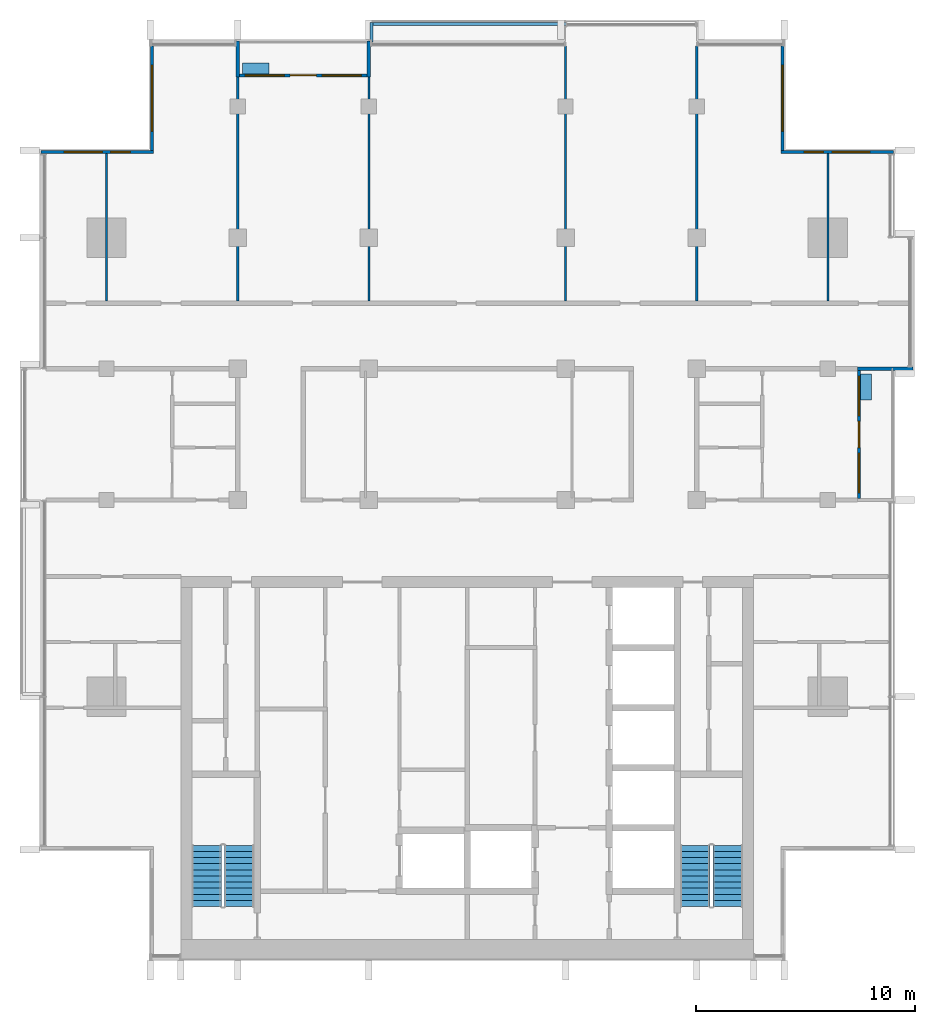
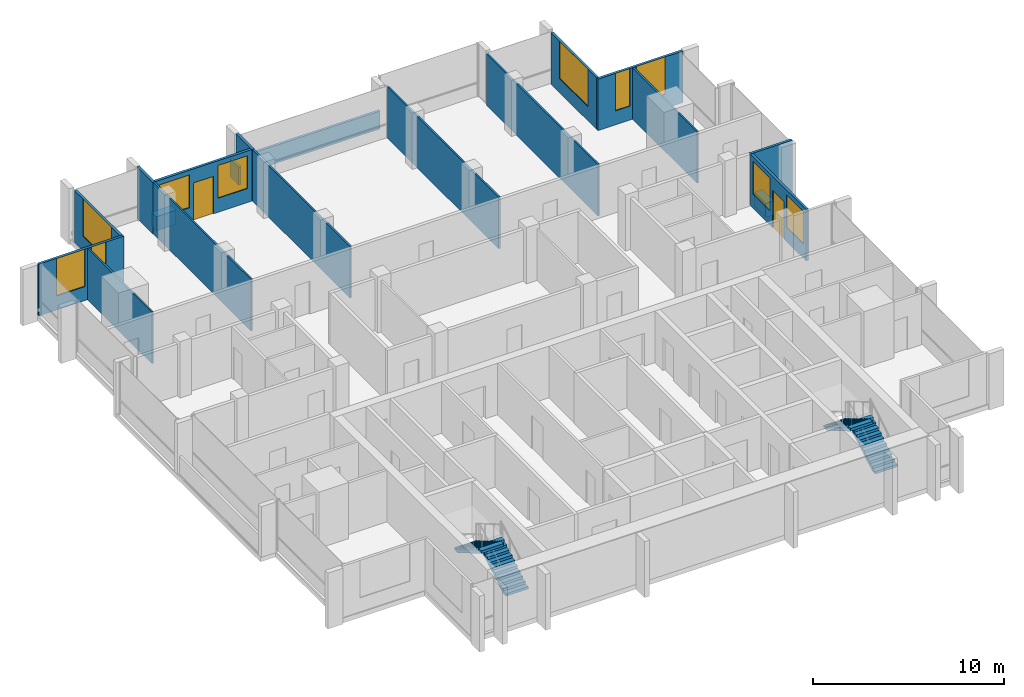
# One storey, part 10 of 15: 19 walls, 10 windows, 4 stair flights, 2 doors, 12 openings, 2 elements without a shape of their own.
"""IFC4 building model written with IfcOpenShell, lengths in metres."""

from ifc_helpers import new_model, si_unit, direction, frame, frame_2d, origin, place, context, subcontext, project, spatial, polyline, rectangle, outline, extrude, material, layer, layer_set, type_object, element, fill, aggregate, save


model = new_model("IFC4")

# Units and contexts
model_context = context("Model", 3, precision=1e-05, world=origin(), true_north=direction((0.0, 1.0)))
body_context = subcontext(model_context, "Body", "Model", "MODEL_VIEW")
ifc_project = project(units=[si_unit("LENGTHUNIT", "METRE"), si_unit("AREAUNIT", "SQUARE_METRE"), si_unit("VOLUMEUNIT", "CUBIC_METRE"), si_unit("PLANEANGLEUNIT", "RADIAN"), si_unit("MASSUNIT", "GRAM", prefix="KILO")], contexts=[model_context])

# Site, building, storey
site_placement = place(None, origin())
site = spatial("IfcSite", under=ifc_project, at=site_placement, CompositionType="ELEMENT")
building_placement = place(site_placement, origin())
building = spatial("IfcBuilding", under=site, at=building_placement, Name="Finial Court Residences", CompositionType="ELEMENT")
storey_placement = place(building_placement, frame((0.0, 0.0, 269.89990234375)))
storey = spatial("IfcBuildingStorey", under=building, at=storey_placement, Name="L68", CompositionType="ELEMENT", Elevation=269.89990234375)

# Walls
ifc_material_1 = material(Name="Gypsum board")
ifc_layer_1 = layer(ifc_material_1, 0.012451171875)
ifc_material_2 = material(Name="Mineral wool in light-gauge frame")
ifc_layer_2 = layer(ifc_material_2, 0.074951171875)
ifc_layer_3 = layer(ifc_material_1, 0.012451171875)
ifc_layer_set_1 = layer_set([ifc_layer_1, ifc_layer_2, ifc_layer_3], Name="Gypsum board partition 100")
wall_type_1 = type_object("IfcWallType", Name="Gypsum board partition 100", PredefinedType="PARTITIONING", material=ifc_layer_set_1)
wall_1_placement = place(storey_placement, frame((-16.5, 4.60009765625, 0.0), z_axis=(0.0, 0.0, 1.0), x_axis=(0.0, 1.0, 0.0)))
element("IfcWall", 1, at=wall_1_placement, inside=storey, type_object=wall_type_1, Name="Partition L68-017", PredefinedType="PARTITIONING", context=body_context, shape_type="SweptSolid", body=[
    extrude(rectangle(XDim=6.75, YDim=0.10009765625, at=frame_2d((3.375, 0.0))), origin(), (0.0, 0.0, 1.0), 3.300048828125),
])
for number, where, z_axis, x_axis, name in (
    (2, (-10.5, 4.60009765625, 0.0), (0.0, 0.0, 1.0), (0.0, 1.0, 0.0), "Partition L68-022"),
    (3, (-4.5, 4.60009765625, 0.0), (0.0, 0.0, 1.0), (0.0, 1.0, 0.0), "Partition L68-025"),
):
    element("IfcWall", number, at=place(storey_placement, frame(where, z_axis=z_axis, x_axis=x_axis)), inside=storey, type_object=wall_type_1, Name=name, PredefinedType="PARTITIONING", context=body_context, shape_type="SweptSolid", body=[
        extrude(rectangle(XDim=10.25, YDim=0.10009765625, at=frame_2d((5.125, 0.0))), origin(), (0.0, 0.0, 1.0), 3.300048828125),
    ])
for number, where, z_axis, x_axis, name in (
    (4, (4.5, 4.60009765625, 0.0), (0.0, 0.0, 1.0), (0.0, 1.0, 0.0), "Partition L68-026"),
    (5, (10.5, 4.60009765625, 0.0), (0.0, 0.0, 1.0), (0.0, 1.0, 0.0), "Partition L68-030"),
):
    element("IfcWall", number, at=place(storey_placement, frame(where, z_axis=z_axis, x_axis=x_axis)), inside=storey, type_object=wall_type_1, Name=name, PredefinedType="PARTITIONING", context=body_context, shape_type="SweptSolid", body=[
        extrude(rectangle(XDim=11.662353515625, YDim=0.10009765625, at=frame_2d((5.8310546875, 0.0))), origin(), (0.0, 0.0, 1.0), 3.300048828125),
    ])
wall_2_placement = place(storey_placement, frame((16.5, 4.60009765625, 0.0), z_axis=(0.0, 0.0, 1.0), x_axis=(0.0, 1.0, 0.0)))
element("IfcWall", 6, at=wall_2_placement, inside=storey, type_object=wall_type_1, Name="Partition L68-034", PredefinedType="PARTITIONING", context=body_context, shape_type="SweptSolid", body=[
    extrude(rectangle(XDim=6.75, YDim=0.10009765625, at=frame_2d((3.375, 0.0))), origin(), (0.0, 0.0, 1.0), 3.300048828125),
])
ifc_material_3 = material(Name="Concrete C35/45", Category="concrete")
ifc_layer_4 = layer(ifc_material_3, 0.14990234375)
ifc_layer_set_2 = layer_set([ifc_layer_4], Name="Ledge parapet, Concrete C35/45 150")
wall_type_2 = type_object("IfcWallType", Name="Ledge parapet, Concrete C35/45 150", PredefinedType="PARAPET", material=ifc_layer_set_2)
wall_3_placement = place(storey_placement, frame((-4.375, 16.447509765625, 0.0), z_axis=(0.0, 0.0, 1.0), x_axis=(0.0, 1.0, 0.0)))
element("IfcWall", 7, at=wall_3_placement, inside=storey, type_object=wall_type_2, Name="E-L68-LED1-P1", PredefinedType="PARAPET", context=body_context, shape_type="SweptSolid", body=[
    extrude(rectangle(XDim=0.902587890625, YDim=0.14990234375, at=frame_2d((0.451171875, 0.0))), origin(), (0.0, 0.0, 1.0), 1.150146484375),
])
wall_4_placement = place(storey_placement, frame((-4.300048828125, 17.27490234375, 0.0), z_axis=(0.0, 0.0, 1.0), x_axis=(1.0, 0.0, 0.0)))
element("IfcWall", 8, at=wall_4_placement, inside=storey, type_object=wall_type_2, Name="E-L68-LED1-P2", PredefinedType="PARAPET", context=body_context, shape_type="SweptSolid", body=[
    extrude(rectangle(XDim=8.8525390625, YDim=0.14990234375, at=frame_2d((4.42626953125, 0.0))), origin(), (0.0, 0.0, 1.0), 1.150146484375),
])

# Wall, opening, window
ifc_material_4 = material(Name="Natural limestone", Category="masonry")
ifc_layer_5 = layer(ifc_material_4, 0.14990234375)
ifc_layer_set_3 = layer_set([ifc_layer_5], Name="Limestone clad wall 150")
wall_type_3 = type_object("IfcWallType", Name="Limestone clad wall 150", PredefinedType="SOLIDWALL", material=ifc_layer_set_3)
wall_5_placement = place(storey_placement, frame((-14.425048828125, 11.5, 0.0), z_axis=(0.0, 0.0, 1.0), x_axis=(0.0, 1.0, 0.0)))
wall_5 = element("IfcWall", 9, at=wall_5_placement, inside=storey, type_object=wall_type_3, Name="E-L68-NWW17", PredefinedType="SOLIDWALL", context=body_context, shape_type="SweptSolid", body=[
    extrude(rectangle(XDim=4.762451171875, YDim=0.14990234375, at=frame_2d((2.38134765625, 0.0))), origin(), (0.0, 0.0, 1.0), 3.300048828125),
])
opening_1_placement = place(wall_5_placement, frame((0.881103515625, 0.0, 0.89990234375)))
opening_1 = element("IfcOpeningElement", 10, at=opening_1_placement, cuts=wall_5, Name="Opening WE68-05", PredefinedType="OPENING", context=body_context, shape_type="SweptSolid", body=[
    extrude(rectangle(XDim=3.0, YDim=2.39990234375, at=frame_2d((1.5, 1.199951171875))), frame((0.0, 0.0849609375, 0.0), z_axis=(0.0, -1.0, 0.0), x_axis=(1.0, 0.0, 0.0)), (0.0, 0.0, 1.0), 0.169921875),
])
ifc_material_5 = material(Name="Clear low-e glass", Category="glass")
window_type_1 = type_object("IfcWindowType", Name="Corner window 3000 x 2400", PartitioningType="SINGLE_PANEL", PredefinedType="WINDOW", material=ifc_material_5)
window_1_placement = place(opening_1_placement, origin())
window_1 = element("IfcWindow", 11, at=window_1_placement, inside=storey, type_object=window_type_1, Name="E-L68-NWW17-W1", OverallHeight=2.39990234375, OverallWidth=3.0, PartitioningType="SINGLE_PANEL", PredefinedType="WINDOW", context=body_context, shape_type="SweptSolid", body=[
    extrude(rectangle(XDim=3.0, YDim=2.39990234375, at=frame_2d((1.5, 1.199951171875))), frame((0.0, 0.030029296875, 0.0), z_axis=(0.0, -1.0, 0.0), x_axis=(1.0, 0.0, 0.0)), (0.0, 0.0, 1.0), 0.06005859375),
])
fill(opening_1, window_1)

# Wall, openings, windows
wall_6_placement = place(storey_placement, frame((-19.5, 11.425048828125, 0.0), z_axis=(0.0, 0.0, 1.0), x_axis=(1.0, 0.0, 0.0)))
wall_6 = element("IfcWall", 12, at=wall_6_placement, inside=storey, type_object=wall_type_3, Name="E-L68-NWN18", PredefinedType="SOLIDWALL", context=body_context, shape_type="SweptSolid", body=[
    extrude(rectangle(XDim=5.14990234375, YDim=0.14990234375, at=frame_2d((2.574951171875, 0.0))), origin(), (0.0, 0.0, 1.0), 3.300048828125),
])
opening_2_placement = place(wall_6_placement, frame((1.074951171875, 0.0, 0.89990234375)))
opening_2 = element("IfcOpeningElement", 13, at=opening_2_placement, cuts=wall_6, Name="Opening WE68-06", PredefinedType="OPENING", context=body_context, shape_type="SweptSolid", body=[
    extrude(rectangle(XDim=1.72509765625, YDim=2.39990234375, at=frame_2d((0.862548828125, 1.199951171875))), frame((0.0, 0.0849609375, 0.0), z_axis=(0.0, -1.0, 0.0), x_axis=(1.0, 0.0, 0.0)), (0.0, 0.0, 1.0), 0.169921875),
])
opening_3_placement = place(wall_6_placement, frame((3.199951171875, 0.0, 0.89990234375)))
opening_3 = element("IfcOpeningElement", 14, at=opening_3_placement, cuts=wall_6, Name="Opening WE68-07", PredefinedType="OPENING", context=body_context, shape_type="SweptSolid", body=[
    extrude(rectangle(XDim=0.875, YDim=2.39990234375, at=frame_2d((0.4375, 1.199951171875))), frame((0.0, 0.0849609375, 0.0), z_axis=(0.0, -1.0, 0.0), x_axis=(1.0, 0.0, 0.0)), (0.0, 0.0, 1.0), 0.169921875),
])
window_type_2 = type_object("IfcWindowType", Name="Corner window 1725 x 2400", PartitioningType="SINGLE_PANEL", PredefinedType="WINDOW", material=ifc_material_5)
window_2_placement = place(opening_2_placement, origin())
window_2 = element("IfcWindow", 15, at=window_2_placement, inside=storey, type_object=window_type_2, Name="E-L68-NWN18-W1", OverallHeight=2.39990234375, OverallWidth=1.72509765625, PartitioningType="SINGLE_PANEL", PredefinedType="WINDOW", context=body_context, shape_type="SweptSolid", body=[
    extrude(rectangle(XDim=1.72509765625, YDim=2.39990234375, at=frame_2d((0.862548828125, 1.199951171875))), frame((0.0, 0.030029296875, 0.0), z_axis=(0.0, -1.0, 0.0), x_axis=(1.0, 0.0, 0.0)), (0.0, 0.0, 1.0), 0.06005859375),
])
fill(opening_2, window_2)
window_type_3 = type_object("IfcWindowType", Name="Corner window 875 x 2400", PartitioningType="SINGLE_PANEL", PredefinedType="WINDOW", material=ifc_material_5)
window_3_placement = place(opening_3_placement, origin())
window_3 = element("IfcWindow", 16, at=window_3_placement, inside=storey, type_object=window_type_3, Name="E-L68-NWN18-W2", OverallHeight=2.39990234375, OverallWidth=0.875, PartitioningType="SINGLE_PANEL", PredefinedType="WINDOW", context=body_context, shape_type="SweptSolid", body=[
    extrude(rectangle(XDim=0.875, YDim=2.39990234375, at=frame_2d((0.4375, 1.199951171875))), frame((0.0, 0.030029296875, 0.0), z_axis=(0.0, -1.0, 0.0), x_axis=(1.0, 0.0, 0.0)), (0.0, 0.0, 1.0), 0.06005859375),
])
fill(opening_3, window_3)

# Wall, opening, window
wall_7_placement = place(storey_placement, frame((14.425048828125, 16.262451171875, 0.0), z_axis=(0.0, 0.0, 1.0), x_axis=(0.0, -1.0, 0.0)))
wall_7 = element("IfcWall", 17, at=wall_7_placement, inside=storey, type_object=wall_type_3, Name="E-L68-NWE19", PredefinedType="SOLIDWALL", context=body_context, shape_type="SweptSolid", body=[
    extrude(rectangle(XDim=4.762451171875, YDim=0.14990234375, at=frame_2d((2.38134765625, 0.0))), origin(), (0.0, 0.0, 1.0), 3.300048828125),
])
opening_4_placement = place(wall_7_placement, frame((0.881103515625, 0.0, 0.89990234375)))
opening_4 = element("IfcOpeningElement", 18, at=opening_4_placement, cuts=wall_7, Name="Opening WE68-08", PredefinedType="OPENING", context=body_context, shape_type="SweptSolid", body=[
    extrude(rectangle(XDim=3.0, YDim=2.39990234375, at=frame_2d((1.5, 1.199951171875))), frame((0.0, 0.0849609375, 0.0), z_axis=(0.0, -1.0, 0.0), x_axis=(1.0, 0.0, 0.0)), (0.0, 0.0, 1.0), 0.169921875),
])
window_4_placement = place(opening_4_placement, origin())
window_4 = element("IfcWindow", 19, at=window_4_placement, inside=storey, type_object=window_type_1, Name="E-L68-NWE19-W1", OverallHeight=2.39990234375, OverallWidth=3.0, PartitioningType="SINGLE_PANEL", PredefinedType="WINDOW", context=body_context, shape_type="SweptSolid", body=[
    extrude(rectangle(XDim=3.0, YDim=2.39990234375, at=frame_2d((1.5, 1.199951171875))), frame((0.0, 0.030029296875, 0.0), z_axis=(0.0, -1.0, 0.0), x_axis=(1.0, 0.0, 0.0)), (0.0, 0.0, 1.0), 0.06005859375),
])
fill(opening_4, window_4)

# Wall, openings, windows
wall_8_placement = place(storey_placement, frame((14.35009765625, 11.425048828125, 0.0), z_axis=(0.0, 0.0, 1.0), x_axis=(1.0, 0.0, 0.0)))
wall_8 = element("IfcWall", 20, at=wall_8_placement, inside=storey, type_object=wall_type_3, Name="E-L68-NWN20", PredefinedType="SOLIDWALL", context=body_context, shape_type="SweptSolid", body=[
    extrude(rectangle(XDim=5.14990234375, YDim=0.14990234375, at=frame_2d((2.574951171875, 0.0))), origin(), (0.0, 0.0, 1.0), 3.300048828125),
])
opening_5_placement = place(wall_8_placement, frame((1.074951171875, 0.0, 0.89990234375)))
opening_5 = element("IfcOpeningElement", 21, at=opening_5_placement, cuts=wall_8, Name="Opening WE68-09", PredefinedType="OPENING", context=body_context, shape_type="SweptSolid", body=[
    extrude(rectangle(XDim=0.875, YDim=2.39990234375, at=frame_2d((0.4375, 1.199951171875))), frame((0.0, 0.0849609375, 0.0), z_axis=(0.0, -1.0, 0.0), x_axis=(1.0, 0.0, 0.0)), (0.0, 0.0, 1.0), 0.169921875),
])
opening_6_placement = place(wall_8_placement, frame((2.35009765625, 0.0, 0.89990234375)))
opening_6 = element("IfcOpeningElement", 22, at=opening_6_placement, cuts=wall_8, Name="Opening WE68-10", PredefinedType="OPENING", context=body_context, shape_type="SweptSolid", body=[
    extrude(rectangle(XDim=1.72509765625, YDim=2.39990234375, at=frame_2d((0.862548828125, 1.199951171875))), frame((0.0, 0.0849609375, 0.0), z_axis=(0.0, -1.0, 0.0), x_axis=(1.0, 0.0, 0.0)), (0.0, 0.0, 1.0), 0.169921875),
])
window_5_placement = place(opening_6_placement, origin())
window_5 = element("IfcWindow", 23, at=window_5_placement, inside=storey, type_object=window_type_2, Name="E-L68-NWN20-W2", OverallHeight=2.39990234375, OverallWidth=1.72509765625, PartitioningType="SINGLE_PANEL", PredefinedType="WINDOW", context=body_context, shape_type="SweptSolid", body=[
    extrude(rectangle(XDim=1.72509765625, YDim=2.39990234375, at=frame_2d((0.862548828125, 1.199951171875))), frame((0.0, 0.030029296875, 0.0), z_axis=(0.0, -1.0, 0.0), x_axis=(1.0, 0.0, 0.0)), (0.0, 0.0, 1.0), 0.06005859375),
])
fill(opening_6, window_5)
window_6_placement = place(opening_5_placement, origin())
window_6 = element("IfcWindow", 24, at=window_6_placement, inside=storey, type_object=window_type_3, Name="E-L68-NWN20-W1", OverallHeight=2.39990234375, OverallWidth=0.875, PartitioningType="SINGLE_PANEL", PredefinedType="WINDOW", context=body_context, shape_type="SweptSolid", body=[
    extrude(rectangle(XDim=0.875, YDim=2.39990234375, at=frame_2d((0.4375, 1.199951171875))), frame((0.0, 0.030029296875, 0.0), z_axis=(0.0, -1.0, 0.0), x_axis=(1.0, 0.0, 0.0)), (0.0, 0.0, 1.0), 0.06005859375),
])
fill(opening_5, window_6)

# Walls
for number, where, z_axis, x_axis, name in (
    (25, (-10.5, 14.85009765625, 0.0), (0.0, 0.0, 1.0), (0.0, 1.0, 0.0), "E-L68-BALN2-P1"),
    (26, (-4.5, 14.85009765625, 0.0), (0.0, 0.0, 1.0), (0.0, 1.0, 0.0), "E-L68-BALN2-P2"),
):
    element("IfcWall", number, at=place(storey_placement, frame(where, z_axis=z_axis, x_axis=x_axis)), inside=storey, type_object=wall_type_3, Name=name, PredefinedType="SOLIDWALL", context=body_context, shape_type="SweptSolid", body=[
        extrude(rectangle(XDim=1.64990234375, YDim=0.14990234375, at=frame_2d((0.824951171875, 0.0))), origin(), (0.0, 0.0, 1.0), 3.300048828125),
    ])

# Wall, openings, door, windows
wall_9_placement = place(storey_placement, frame((-10.425048828125, 14.925048828125, 0.0), z_axis=(0.0, 0.0, 1.0), x_axis=(1.0, 0.0, 0.0)))
wall_9 = element("IfcWall", 27, at=wall_9_placement, inside=storey, type_object=wall_type_3, Name="E-L68-L68-BALN2-W", PredefinedType="SOLIDWALL", context=body_context, shape_type="SweptSolid", body=[
    extrude(rectangle(XDim=5.85009765625, YDim=0.14990234375, at=frame_2d((2.925048828125, 0.0))), origin(), (0.0, 0.0, 1.0), 3.300048828125),
])
opening_7_placement = place(wall_9_placement, frame((2.324951171875, 0.0, 0.0)))
opening_7 = element("IfcOpeningElement", 28, at=opening_7_placement, cuts=wall_9, Name="Opening DE68-01", PredefinedType="OPENING", context=body_context, shape_type="SweptSolid", body=[
    extrude(rectangle(XDim=1.199951171875, YDim=2.39990234375, at=frame_2d((0.60009765625, 1.199951171875))), frame((0.0, 0.0849609375, 0.0), z_axis=(0.0, -1.0, 0.0), x_axis=(1.0, 0.0, 0.0)), (0.0, 0.0, 1.0), 0.169921875),
])
opening_8_placement = place(wall_9_placement, frame((0.262451171875, 0.0, 0.89990234375)))
opening_8 = element("IfcOpeningElement", 29, at=opening_8_placement, cuts=wall_9, Name="Opening WE68-11", PredefinedType="OPENING", context=body_context, shape_type="SweptSolid", body=[
    extrude(rectangle(XDim=1.800048828125, YDim=2.10009765625, at=frame_2d((0.89990234375, 1.050048828125))), frame((0.0, 0.0849609375, 0.0), z_axis=(0.0, -1.0, 0.0), x_axis=(1.0, 0.0, 0.0)), (0.0, 0.0, 1.0), 0.169921875),
])
opening_9_placement = place(wall_9_placement, frame((3.78759765625, 0.0, 0.89990234375)))
opening_9 = element("IfcOpeningElement", 30, at=opening_9_placement, cuts=wall_9, Name="Opening WE68-12", PredefinedType="OPENING", context=body_context, shape_type="SweptSolid", body=[
    extrude(rectangle(XDim=1.800048828125, YDim=2.10009765625, at=frame_2d((0.89990234375, 1.050048828125))), frame((0.0, 0.0849609375, 0.0), z_axis=(0.0, -1.0, 0.0), x_axis=(1.0, 0.0, 0.0)), (0.0, 0.0, 1.0), 0.169921875),
])
ifc_material_6 = material(Name="Bronze anodised aluminium", Category="aluminium")
door_type = type_object("IfcDoorType", Name="Balcony door 1200 x 2400", OperationType="SINGLE_SWING_LEFT", PredefinedType="DOOR", material=ifc_material_6)
door_1_placement = place(opening_7_placement, origin())
door_1 = element("IfcDoor", 31, at=door_1_placement, inside=storey, type_object=door_type, Name="E-L68-L68-BALN2-W-D", OperationType="SINGLE_SWING_RIGHT", OverallHeight=2.39990234375, OverallWidth=1.199951171875, PredefinedType="DOOR", context=body_context, shape_type="SweptSolid", body=[
    extrude(rectangle(XDim=1.199951171875, YDim=2.39990234375, at=frame_2d((0.60009765625, 1.199951171875))), frame((0.0, 0.02490234375, 0.0), z_axis=(0.0, -1.0, 0.0), x_axis=(1.0, 0.0, 0.0)), (0.0, 0.0, 1.0), 0.050048828125),
])
fill(opening_7, door_1)
window_type_4 = type_object("IfcWindowType", Name="Balcony window 1800 x 2100", PartitioningType="SINGLE_PANEL", PredefinedType="WINDOW", material=ifc_material_5)
window_7_placement = place(opening_8_placement, origin())
window_7 = element("IfcWindow", 32, at=window_7_placement, inside=storey, type_object=window_type_4, Name="E-L68-L68-BALN2-W-W1", OverallHeight=2.10009765625, OverallWidth=1.800048828125, PartitioningType="SINGLE_PANEL", PredefinedType="WINDOW", context=body_context, shape_type="SweptSolid", body=[
    extrude(rectangle(XDim=1.800048828125, YDim=2.10009765625, at=frame_2d((0.89990234375, 1.050048828125))), frame((0.0, 0.030029296875, 0.0), z_axis=(0.0, -1.0, 0.0), x_axis=(1.0, 0.0, 0.0)), (0.0, 0.0, 1.0), 0.06005859375),
])
fill(opening_8, window_7)
window_8_placement = place(opening_9_placement, origin())
window_8 = element("IfcWindow", 33, at=window_8_placement, inside=storey, type_object=window_type_4, Name="E-L68-L68-BALN2-W-W2", OverallHeight=2.10009765625, OverallWidth=1.800048828125, PartitioningType="SINGLE_PANEL", PredefinedType="WINDOW", context=body_context, shape_type="SweptSolid", body=[
    extrude(rectangle(XDim=1.800048828125, YDim=2.10009765625, at=frame_2d((0.89990234375, 1.050048828125))), frame((0.0, 0.030029296875, 0.0), z_axis=(0.0, -1.0, 0.0), x_axis=(1.0, 0.0, 0.0)), (0.0, 0.0, 1.0), 0.06005859375),
])
fill(opening_9, window_8)

# Wall
wall_10_placement = place(storey_placement, frame((17.85009765625, 1.5, 0.0), z_axis=(0.0, 0.0, 1.0), x_axis=(1.0, 0.0, 0.0)))
element("IfcWall", 34, at=wall_10_placement, inside=storey, type_object=wall_type_3, Name="E-L68-BALE3-P2", PredefinedType="SOLIDWALL", context=body_context, shape_type="SweptSolid", body=[
    extrude(rectangle(XDim=2.5498046875, YDim=0.14990234375, at=frame_2d((1.27490234375, 0.0))), origin(), (0.0, 0.0, 1.0), 3.300048828125),
])

# Wall, openings, door, windows
wall_11_placement = place(storey_placement, frame((17.925048828125, 1.425048828125, 0.0), z_axis=(0.0, 0.0, 1.0), x_axis=(0.0, -1.0, 0.0)))
wall_11 = element("IfcWall", 35, at=wall_11_placement, inside=storey, type_object=wall_type_3, Name="E-L68-L68-BALE3-W", PredefinedType="SOLIDWALL", context=body_context, shape_type="SweptSolid", body=[
    extrude(rectangle(XDim=5.85009765625, YDim=0.14990234375, at=frame_2d((2.925048828125, 0.0))), origin(), (0.0, 0.0, 1.0), 3.300048828125),
])
opening_10_placement = place(wall_11_placement, frame((2.324951171875, 0.0, 0.0)))
opening_10 = element("IfcOpeningElement", 36, at=opening_10_placement, cuts=wall_11, Name="Opening DE68-02", PredefinedType="OPENING", context=body_context, shape_type="SweptSolid", body=[
    extrude(rectangle(XDim=1.199951171875, YDim=2.39990234375, at=frame_2d((0.60009765625, 1.199951171875))), frame((0.0, 0.0849609375, 0.0), z_axis=(0.0, -1.0, 0.0), x_axis=(1.0, 0.0, 0.0)), (0.0, 0.0, 1.0), 0.169921875),
])
opening_11_placement = place(wall_11_placement, frame((3.78759765625, 0.0, 0.89990234375)))
opening_11 = element("IfcOpeningElement", 37, at=opening_11_placement, cuts=wall_11, Name="Opening WE68-13", PredefinedType="OPENING", context=body_context, shape_type="SweptSolid", body=[
    extrude(rectangle(XDim=1.800048828125, YDim=2.10009765625, at=frame_2d((0.89990234375, 1.050048828125))), frame((0.0, 0.0849609375, 0.0), z_axis=(0.0, -1.0, 0.0), x_axis=(1.0, 0.0, 0.0)), (0.0, 0.0, 1.0), 0.169921875),
])
opening_12_placement = place(wall_11_placement, frame((0.262451171875, 0.0, 0.89990234375)))
opening_12 = element("IfcOpeningElement", 38, at=opening_12_placement, cuts=wall_11, Name="Opening WE68-14", PredefinedType="OPENING", context=body_context, shape_type="SweptSolid", body=[
    extrude(rectangle(XDim=1.800048828125, YDim=2.10009765625, at=frame_2d((0.89990234375, 1.050048828125))), frame((0.0, 0.0849609375, 0.0), z_axis=(0.0, -1.0, 0.0), x_axis=(1.0, 0.0, 0.0)), (0.0, 0.0, 1.0), 0.169921875),
])
door_2_placement = place(opening_10_placement, origin())
door_2 = element("IfcDoor", 39, at=door_2_placement, inside=storey, type_object=door_type, Name="E-L68-L68-BALE3-W-D", OperationType="SINGLE_SWING_LEFT", OverallHeight=2.39990234375, OverallWidth=1.199951171875, PredefinedType="DOOR", context=body_context, shape_type="SweptSolid", body=[
    extrude(rectangle(XDim=1.199951171875, YDim=2.39990234375, at=frame_2d((0.60009765625, 1.199951171875))), frame((0.0, 0.02490234375, 0.0), z_axis=(0.0, -1.0, 0.0), x_axis=(1.0, 0.0, 0.0)), (0.0, 0.0, 1.0), 0.050048828125),
])
fill(opening_10, door_2)
window_9_placement = place(opening_11_placement, origin())
window_9 = element("IfcWindow", 40, at=window_9_placement, inside=storey, type_object=window_type_4, Name="E-L68-L68-BALE3-W-W1", OverallHeight=2.10009765625, OverallWidth=1.800048828125, PartitioningType="SINGLE_PANEL", PredefinedType="WINDOW", context=body_context, shape_type="SweptSolid", body=[
    extrude(rectangle(XDim=1.800048828125, YDim=2.10009765625, at=frame_2d((0.89990234375, 1.050048828125))), frame((0.0, 0.030029296875, 0.0), z_axis=(0.0, -1.0, 0.0), x_axis=(1.0, 0.0, 0.0)), (0.0, 0.0, 1.0), 0.06005859375),
])
fill(opening_11, window_9)
window_10_placement = place(opening_12_placement, origin())
window_10 = element("IfcWindow", 41, at=window_10_placement, inside=storey, type_object=window_type_4, Name="E-L68-L68-BALE3-W-W2", OverallHeight=2.10009765625, OverallWidth=1.800048828125, PartitioningType="SINGLE_PANEL", PredefinedType="WINDOW", context=body_context, shape_type="SweptSolid", body=[
    extrude(rectangle(XDim=1.800048828125, YDim=2.10009765625, at=frame_2d((0.89990234375, 1.050048828125))), frame((0.0, 0.030029296875, 0.0), z_axis=(0.0, -1.0, 0.0), x_axis=(1.0, 0.0, 0.0)), (0.0, 0.0, 1.0), 0.06005859375),
])
fill(opening_12, window_10)

# Walls
ifc_material_7 = material(Name="Concrete C40/50", Category="concrete")
ifc_layer_6 = layer(ifc_material_7, 0.10009765625)
ifc_material_8 = material(Name="Planting soil", Category="soil")
ifc_layer_7 = layer(ifc_material_8, 0.300048828125)
ifc_layer_8 = layer(ifc_material_7, 0.10009765625)
ifc_layer_set_4 = layer_set([ifc_layer_6, ifc_layer_7, ifc_layer_8], Name="Planter wall, balcony")
wall_type_4 = type_object("IfcWallType", Name="Planter wall, balcony", PredefinedType="USERDEFINED", material=ifc_layer_set_4)
for number, where, z_axis, x_axis, name in (
    (42, (-10.27490234375, 15.25, 0.0), (0.0, 0.0, 1.0), (1.0, 0.0, 0.0), "E-L68-BALN2-PL"),
    (43, (18.25, 0.074951171875, 0.0), (0.0, 0.0, 1.0), (0.0, 1.0, 0.0), "E-L68-BALE3-PL"),
):
    element("IfcWall", number, at=place(storey_placement, frame(where, z_axis=z_axis, x_axis=x_axis)), inside=storey, type_object=wall_type_4, Name=name, ObjectType="PLANTER", PredefinedType="USERDEFINED", context=body_context, shape_type="SweptSolid", body=[
        extrude(rectangle(XDim=1.199951171875, YDim=0.5, at=frame_2d((0.60009765625, 0.0))), origin(), (0.0, 0.0, 1.0), 0.900146484375),
    ])

# Stair, stair flights
ifc_material_9 = material(Name="Concrete C50/60", Category="concrete")
stair_type = type_object("IfcStairType", Name="Exit stair 22 risers of 163.6 mm", PredefinedType="HALF_TURN_STAIR", material=ifc_material_9)
stair_1_placement = place(storey_placement, origin())
stair_1 = element("IfcStair", 44, at=stair_1_placement, inside=storey, type_object=stair_type, Name="L68 Exit stair ST-1", PredefinedType="HALF_TURN_STAIR")
stair_flight_type = type_object("IfcStairFlightType", Name="Exit stair flight", PredefinedType="STRAIGHT", material=ifc_material_9)
stair_flight_1_placement = place(storey_placement, frame((-10.425048828125, -23.10009765625, 0.0), z_axis=(0.0, 0.0, 1.0), x_axis=(0.0, 1.0, 0.0)))
stair_flight_1 = element("IfcStairFlight", 45, at=stair_flight_1_placement, type_object=stair_flight_type, Name="ST-1 flight 1", NumberOfRisers=11, NumberOfTreads=10, PredefinedType="STRAIGHT", RiserHeight=0.163636364, TreadLength=0.28, context=body_context, shape_type="SweptSolid", body=[
    extrude(outline(polyline([(0.0, 0.0), (0.0, 0.16357421875), (0.280029296875, 0.16357421875), (0.280029296875, 0.327392578125), (0.56005859375, 0.327392578125), (0.56005859375, 0.490966796875), (0.840087890625, 0.490966796875), (0.840087890625, 0.654541015625), (1.1201171875, 0.654541015625), (1.1201171875, 0.818115234375), (1.39990234375, 0.818115234375), (1.39990234375, 0.98193359375), (1.679931640625, 0.98193359375), (1.679931640625, 1.1455078125), (1.9599609375, 1.1455078125), (1.9599609375, 1.30908203125), (2.239990234375, 1.30908203125), (2.239990234375, 1.47265625), (2.52001953125, 1.47265625), (2.52001953125, 1.636474609375), (2.800048828125, 1.636474609375), (2.800048828125, 1.800048828125), (2.800048828125, 1.462646484375), (0.297119140625, 0.0), (0.0, 0.0)])), frame((0.0, 0.675048828125, 0.0), z_axis=(0.0, -1.0, 0.0), x_axis=(1.0, 0.0, 0.0)), (0.0, 0.0, 1.0), 1.35009765625),
])
stair_flight_2_placement = place(storey_placement, frame((-11.925048828125, -20.300048828125, 1.800048828125), z_axis=(0.0, 0.0, 1.0), x_axis=(0.0, -1.0, 0.0)))
stair_flight_2 = element("IfcStairFlight", 46, at=stair_flight_2_placement, type_object=stair_flight_type, Name="ST-1 flight 2", NumberOfRisers=11, NumberOfTreads=10, PredefinedType="STRAIGHT", RiserHeight=0.163636364, TreadLength=0.28, context=body_context, shape_type="SweptSolid", body=[
    extrude(outline(polyline([(0.0, 0.0), (0.0, 0.16357421875), (0.280029296875, 0.16357421875), (0.280029296875, 0.327392578125), (0.56005859375, 0.327392578125), (0.56005859375, 0.490966796875), (0.840087890625, 0.490966796875), (0.840087890625, 0.654541015625), (1.1201171875, 0.654541015625), (1.1201171875, 0.818115234375), (1.39990234375, 0.818115234375), (1.39990234375, 0.98193359375), (1.679931640625, 0.98193359375), (1.679931640625, 1.1455078125), (1.9599609375, 1.1455078125), (1.9599609375, 1.30908203125), (2.239990234375, 1.30908203125), (2.239990234375, 1.47265625), (2.52001953125, 1.47265625), (2.52001953125, 1.636474609375), (2.800048828125, 1.636474609375), (2.800048828125, 1.800048828125), (2.800048828125, 1.462646484375), (0.297119140625, 0.0), (0.0, 0.0)])), frame((0.0, 0.675048828125, 0.0), z_axis=(0.0, -1.0, 0.0), x_axis=(1.0, 0.0, 0.0)), (0.0, 0.0, 1.0), 1.35009765625),
])
aggregate(stair_1, [stair_flight_1, stair_flight_2])

stair_2_placement = place(storey_placement, origin())
stair_2 = element("IfcStair", 47, at=stair_2_placement, inside=storey, type_object=stair_type, Name="L68 Exit stair ST-2", PredefinedType="HALF_TURN_STAIR")
stair_flight_3_placement = place(storey_placement, frame((11.925048828125, -23.10009765625, 0.0), z_axis=(0.0, 0.0, 1.0), x_axis=(0.0, 1.0, 0.0)))
stair_flight_3 = element("IfcStairFlight", 48, at=stair_flight_3_placement, type_object=stair_flight_type, Name="ST-2 flight 1", NumberOfRisers=11, NumberOfTreads=10, PredefinedType="STRAIGHT", RiserHeight=0.163636364, TreadLength=0.28, context=body_context, shape_type="SweptSolid", body=[
    extrude(outline(polyline([(0.0, 0.0), (0.0, 0.16357421875), (0.280029296875, 0.16357421875), (0.280029296875, 0.327392578125), (0.56005859375, 0.327392578125), (0.56005859375, 0.490966796875), (0.840087890625, 0.490966796875), (0.840087890625, 0.654541015625), (1.1201171875, 0.654541015625), (1.1201171875, 0.818115234375), (1.39990234375, 0.818115234375), (1.39990234375, 0.98193359375), (1.679931640625, 0.98193359375), (1.679931640625, 1.1455078125), (1.9599609375, 1.1455078125), (1.9599609375, 1.30908203125), (2.239990234375, 1.30908203125), (2.239990234375, 1.47265625), (2.52001953125, 1.47265625), (2.52001953125, 1.636474609375), (2.800048828125, 1.636474609375), (2.800048828125, 1.800048828125), (2.800048828125, 1.462646484375), (0.297119140625, 0.0), (0.0, 0.0)])), frame((0.0, 0.675048828125, 0.0), z_axis=(0.0, -1.0, 0.0), x_axis=(1.0, 0.0, 0.0)), (0.0, 0.0, 1.0), 1.35009765625),
])
stair_flight_4_placement = place(storey_placement, frame((10.425048828125, -20.300048828125, 1.800048828125), z_axis=(0.0, 0.0, 1.0), x_axis=(0.0, -1.0, 0.0)))
stair_flight_4 = element("IfcStairFlight", 49, at=stair_flight_4_placement, type_object=stair_flight_type, Name="ST-2 flight 2", NumberOfRisers=11, NumberOfTreads=10, PredefinedType="STRAIGHT", RiserHeight=0.163636364, TreadLength=0.28, context=body_context, shape_type="SweptSolid", body=[
    extrude(outline(polyline([(0.0, 0.0), (0.0, 0.16357421875), (0.280029296875, 0.16357421875), (0.280029296875, 0.327392578125), (0.56005859375, 0.327392578125), (0.56005859375, 0.490966796875), (0.840087890625, 0.490966796875), (0.840087890625, 0.654541015625), (1.1201171875, 0.654541015625), (1.1201171875, 0.818115234375), (1.39990234375, 0.818115234375), (1.39990234375, 0.98193359375), (1.679931640625, 0.98193359375), (1.679931640625, 1.1455078125), (1.9599609375, 1.1455078125), (1.9599609375, 1.30908203125), (2.239990234375, 1.30908203125), (2.239990234375, 1.47265625), (2.52001953125, 1.47265625), (2.52001953125, 1.636474609375), (2.800048828125, 1.636474609375), (2.800048828125, 1.800048828125), (2.800048828125, 1.462646484375), (0.297119140625, 0.0), (0.0, 0.0)])), frame((0.0, 0.675048828125, 0.0), z_axis=(0.0, -1.0, 0.0), x_axis=(1.0, 0.0, 0.0)), (0.0, 0.0, 1.0), 1.35009765625),
])
aggregate(stair_2, [stair_flight_3, stair_flight_4])

save(model, "model.ifc")
